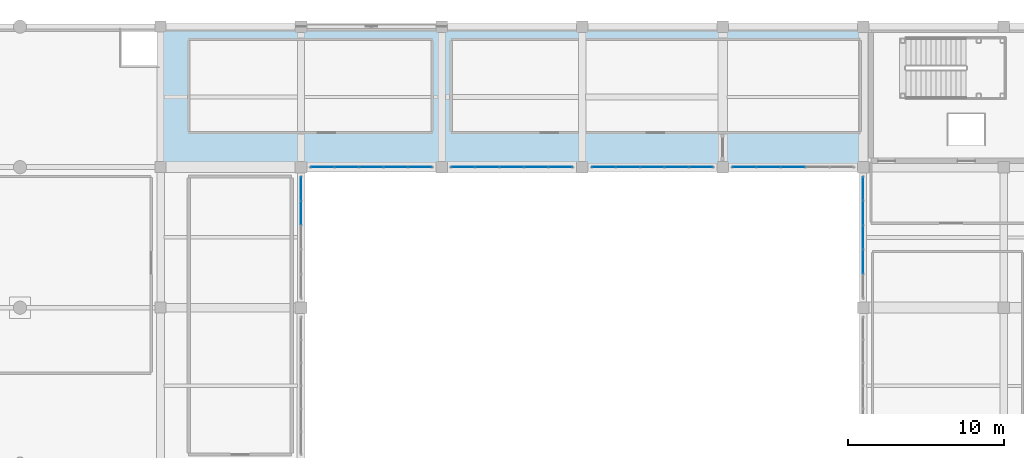
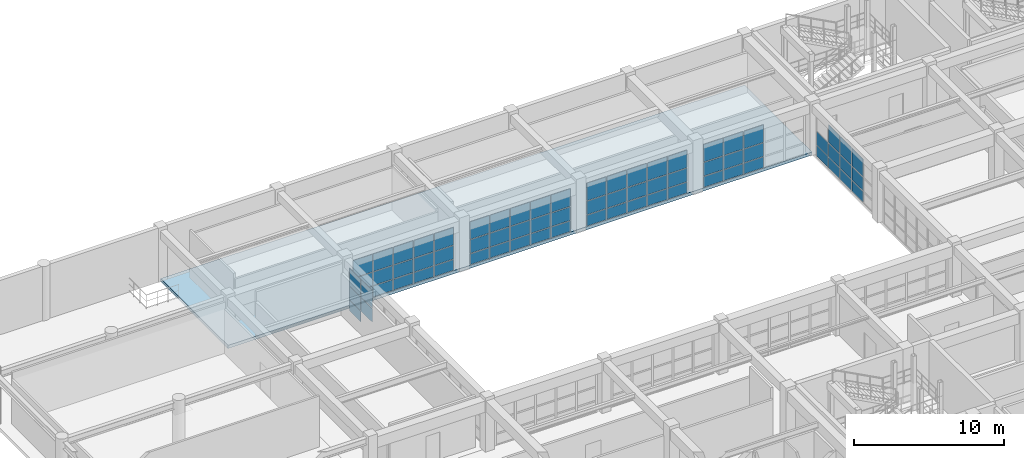
# One storey, part 97 of 133: 70 plates, 1 slab, 6 elements without a shape of their own.
"""IFC4 building model written with IfcOpenShell, lengths in metres."""

from ifc_helpers import new_model, si_unit, direction, frame, origin, origin_2d, place, context, subcontext, project, spatial, polyline, rectangle, outline, extrude, material, layer, layer_set, type_object, element, aggregate, save


model = new_model("IFC4")

# Units and contexts
model_context = context("Model", 3, precision=1e-05, world=origin(), true_north=direction((0.0, 1.0)))
body_context = subcontext(model_context, "Body", "Model", "MODEL_VIEW")
ifc_project = project(units=[si_unit("LENGTHUNIT", "METRE"), si_unit("AREAUNIT", "SQUARE_METRE"), si_unit("VOLUMEUNIT", "CUBIC_METRE"), si_unit("PLANEANGLEUNIT", "RADIAN"), si_unit("MASSUNIT", "GRAM", prefix="KILO")], contexts=[model_context])

# Site, building, storey
site_placement = place(None, origin())
site = spatial("IfcSite", under=ifc_project, at=site_placement, CompositionType="ELEMENT")
building_placement = place(site_placement, origin())
building = spatial("IfcBuilding", under=site, at=building_placement, Name="Miravela Opera House", CompositionType="ELEMENT")
storey_placement = place(building_placement, frame((0.0, 0.0, 5.10009765625)))
storey = spatial("IfcBuildingStorey", under=building, at=storey_placement, Name="L01", CompositionType="ELEMENT", Elevation=5.10009765625)

# Curtain wall, plates
ifc_material_1 = material(Name="Anodised architectural bronze aluminium 6063-T6", Category="aluminium")
curtain_wall_type = type_object("IfcCurtainWallType", Name="ARC-CW-05", PredefinedType="NOTDEFINED", material=ifc_material_1)
curtain_wall_1_placement = place(storey_placement, origin())
curtain_wall_1 = element("IfcCurtainWall", 1, at=curtain_wall_1_placement, inside=storey, type_object=curtain_wall_type, Name="Courtyard Arcade Curtain Wall CW-L01-078", PredefinedType="NOTDEFINED")
ifc_material_2 = material(Name="Acoustic laminated low-E insulating glass", Category="glass")
ifc_layer_1 = layer(ifc_material_2, 0.028076171875)
ifc_layer_set_1 = layer_set([ifc_layer_1])
plate_type = type_object("IfcPlateType", Name="ARC-CWP-28", PredefinedType="CURTAIN_PANEL", material=ifc_layer_set_1)
plate_1_placement = place(storey_placement, frame((28.37890625, 103.0, 0.06005859375), z_axis=(0.0, 0.0, 1.0), x_axis=(1.0, 0.0, 0.0)))
plate_1 = element("IfcPlate", 2, at=plate_1_placement, type_object=plate_type, Name="CW-05 panel 1.1", PredefinedType="CURTAIN_PANEL", context=body_context, shape_type="SweptSolid", body=[
    extrude(rectangle(XDim=1.47802734375, YDim=0.028076171875, at=origin_2d()), origin(), (0.0, 0.0, 1.0), 0.860107421875),
])
plate_2_placement = place(storey_placement, frame((28.37890625, 103.0, 0.97998046875), z_axis=(0.0, 0.0, 1.0), x_axis=(1.0, 0.0, 0.0)))
plate_2 = element("IfcPlate", 3, at=plate_2_placement, type_object=plate_type, Name="CW-05 panel 1.2", PredefinedType="CURTAIN_PANEL", context=body_context, shape_type="SweptSolid", body=[
    extrude(rectangle(XDim=1.47802734375, YDim=0.028076171875, at=origin_2d()), origin(), (0.0, 0.0, 1.0), 1.083740234375),
])
plate_3_placement = place(storey_placement, frame((28.37890625, 103.0, 2.123779296875), z_axis=(0.0, 0.0, 1.0), x_axis=(1.0, 0.0, 0.0)))
plate_3 = element("IfcPlate", 4, at=plate_3_placement, type_object=plate_type, Name="CW-05 panel 1.3", PredefinedType="CURTAIN_PANEL", context=body_context, shape_type="SweptSolid", body=[
    extrude(rectangle(XDim=1.47802734375, YDim=0.028076171875, at=origin_2d()), origin(), (0.0, 0.0, 1.0), 1.42626953125),
])
plate_4_placement = place(storey_placement, frame((29.931884765625, 103.0, 0.06005859375), z_axis=(0.0, 0.0, 1.0), x_axis=(1.0, 0.0, 0.0)))
plate_4 = element("IfcPlate", 5, at=plate_4_placement, type_object=plate_type, Name="CW-05 panel 2.1", PredefinedType="CURTAIN_PANEL", context=body_context, shape_type="SweptSolid", body=[
    extrude(rectangle(XDim=1.508056640625, YDim=0.028076171875, at=origin_2d()), origin(), (0.0, 0.0, 1.0), 0.860107421875),
])
plate_5_placement = place(storey_placement, frame((29.931884765625, 103.0, 0.97998046875), z_axis=(0.0, 0.0, 1.0), x_axis=(1.0, 0.0, 0.0)))
plate_5 = element("IfcPlate", 6, at=plate_5_placement, type_object=plate_type, Name="CW-05 panel 2.2", PredefinedType="CURTAIN_PANEL", context=body_context, shape_type="SweptSolid", body=[
    extrude(rectangle(XDim=1.508056640625, YDim=0.028076171875, at=origin_2d()), origin(), (0.0, 0.0, 1.0), 1.083740234375),
])
plate_6_placement = place(storey_placement, frame((29.931884765625, 103.0, 2.123779296875), z_axis=(0.0, 0.0, 1.0), x_axis=(1.0, 0.0, 0.0)))
plate_6 = element("IfcPlate", 7, at=plate_6_placement, type_object=plate_type, Name="CW-05 panel 2.3", PredefinedType="CURTAIN_PANEL", context=body_context, shape_type="SweptSolid", body=[
    extrude(rectangle(XDim=1.508056640625, YDim=0.028076171875, at=origin_2d()), origin(), (0.0, 0.0, 1.0), 1.42626953125),
])
plate_7_placement = place(storey_placement, frame((31.5, 103.0, 0.06005859375), z_axis=(0.0, 0.0, 1.0), x_axis=(1.0, 0.0, 0.0)))
plate_7 = element("IfcPlate", 8, at=plate_7_placement, type_object=plate_type, Name="CW-05 panel 3.1", PredefinedType="CURTAIN_PANEL", context=body_context, shape_type="SweptSolid", body=[
    extrude(rectangle(XDim=1.508056640625, YDim=0.028076171875, at=origin_2d()), origin(), (0.0, 0.0, 1.0), 0.860107421875),
])
plate_8_placement = place(storey_placement, frame((31.5, 103.0, 0.97998046875), z_axis=(0.0, 0.0, 1.0), x_axis=(1.0, 0.0, 0.0)))
plate_8 = element("IfcPlate", 9, at=plate_8_placement, type_object=plate_type, Name="CW-05 panel 3.2", PredefinedType="CURTAIN_PANEL", context=body_context, shape_type="SweptSolid", body=[
    extrude(rectangle(XDim=1.508056640625, YDim=0.028076171875, at=origin_2d()), origin(), (0.0, 0.0, 1.0), 1.083740234375),
])
plate_9_placement = place(storey_placement, frame((31.5, 103.0, 2.123779296875), z_axis=(0.0, 0.0, 1.0), x_axis=(1.0, 0.0, 0.0)))
plate_9 = element("IfcPlate", 10, at=plate_9_placement, type_object=plate_type, Name="CW-05 panel 3.3", PredefinedType="CURTAIN_PANEL", context=body_context, shape_type="SweptSolid", body=[
    extrude(rectangle(XDim=1.508056640625, YDim=0.028076171875, at=origin_2d()), origin(), (0.0, 0.0, 1.0), 1.42626953125),
])
plate_10_placement = place(storey_placement, frame((33.068115234375, 103.0, 0.06005859375), z_axis=(0.0, 0.0, 1.0), x_axis=(1.0, 0.0, 0.0)))
plate_10 = element("IfcPlate", 11, at=plate_10_placement, type_object=plate_type, Name="CW-05 panel 4.1", PredefinedType="CURTAIN_PANEL", context=body_context, shape_type="SweptSolid", body=[
    extrude(rectangle(XDim=1.508056640625, YDim=0.028076171875, at=origin_2d()), origin(), (0.0, 0.0, 1.0), 0.860107421875),
])
plate_11_placement = place(storey_placement, frame((33.068115234375, 103.0, 0.97998046875), z_axis=(0.0, 0.0, 1.0), x_axis=(1.0, 0.0, 0.0)))
plate_11 = element("IfcPlate", 12, at=plate_11_placement, type_object=plate_type, Name="CW-05 panel 4.2", PredefinedType="CURTAIN_PANEL", context=body_context, shape_type="SweptSolid", body=[
    extrude(rectangle(XDim=1.508056640625, YDim=0.028076171875, at=origin_2d()), origin(), (0.0, 0.0, 1.0), 1.083740234375),
])
plate_12_placement = place(storey_placement, frame((33.068115234375, 103.0, 2.123779296875), z_axis=(0.0, 0.0, 1.0), x_axis=(1.0, 0.0, 0.0)))
plate_12 = element("IfcPlate", 13, at=plate_12_placement, type_object=plate_type, Name="CW-05 panel 4.3", PredefinedType="CURTAIN_PANEL", context=body_context, shape_type="SweptSolid", body=[
    extrude(rectangle(XDim=1.508056640625, YDim=0.028076171875, at=origin_2d()), origin(), (0.0, 0.0, 1.0), 1.42626953125),
])
plate_13_placement = place(storey_placement, frame((34.62109375, 103.0, 0.06005859375), z_axis=(0.0, 0.0, 1.0), x_axis=(1.0, 0.0, 0.0)))
plate_13 = element("IfcPlate", 14, at=plate_13_placement, type_object=plate_type, Name="CW-05 panel 5.1", PredefinedType="CURTAIN_PANEL", context=body_context, shape_type="SweptSolid", body=[
    extrude(rectangle(XDim=1.47802734375, YDim=0.028076171875, at=origin_2d()), origin(), (0.0, 0.0, 1.0), 0.860107421875),
])
plate_14_placement = place(storey_placement, frame((34.62109375, 103.0, 0.97998046875), z_axis=(0.0, 0.0, 1.0), x_axis=(1.0, 0.0, 0.0)))
plate_14 = element("IfcPlate", 15, at=plate_14_placement, type_object=plate_type, Name="CW-05 panel 5.2", PredefinedType="CURTAIN_PANEL", context=body_context, shape_type="SweptSolid", body=[
    extrude(rectangle(XDim=1.47802734375, YDim=0.028076171875, at=origin_2d()), origin(), (0.0, 0.0, 1.0), 1.083740234375),
])
plate_15_placement = place(storey_placement, frame((34.62109375, 103.0, 2.123779296875), z_axis=(0.0, 0.0, 1.0), x_axis=(1.0, 0.0, 0.0)))
plate_15 = element("IfcPlate", 16, at=plate_15_placement, type_object=plate_type, Name="CW-05 panel 5.3", PredefinedType="CURTAIN_PANEL", context=body_context, shape_type="SweptSolid", body=[
    extrude(rectangle(XDim=1.47802734375, YDim=0.028076171875, at=origin_2d()), origin(), (0.0, 0.0, 1.0), 1.42626953125),
])
aggregate(curtain_wall_1, [plate_1, plate_2, plate_3, plate_4, plate_5, plate_6, plate_7, plate_8, plate_9, plate_10, plate_11, plate_12, plate_13, plate_14, plate_15])

curtain_wall_2_placement = place(storey_placement, origin())
curtain_wall_2 = element("IfcCurtainWall", 17, at=curtain_wall_2_placement, inside=storey, type_object=curtain_wall_type, Name="Courtyard Arcade Curtain Wall CW-L01-080", PredefinedType="NOTDEFINED")
plate_16_placement = place(storey_placement, frame((37.37890625, 103.0, 0.06005859375), z_axis=(0.0, 0.0, 1.0), x_axis=(1.0, 0.0, 0.0)))
plate_16 = element("IfcPlate", 18, at=plate_16_placement, type_object=plate_type, Name="CW-05 panel 1.1", PredefinedType="CURTAIN_PANEL", context=body_context, shape_type="SweptSolid", body=[
    extrude(rectangle(XDim=1.47802734375, YDim=0.028076171875, at=origin_2d()), origin(), (0.0, 0.0, 1.0), 0.860107421875),
])
plate_17_placement = place(storey_placement, frame((37.37890625, 103.0, 0.97998046875), z_axis=(0.0, 0.0, 1.0), x_axis=(1.0, 0.0, 0.0)))
plate_17 = element("IfcPlate", 19, at=plate_17_placement, type_object=plate_type, Name="CW-05 panel 1.2", PredefinedType="CURTAIN_PANEL", context=body_context, shape_type="SweptSolid", body=[
    extrude(rectangle(XDim=1.47802734375, YDim=0.028076171875, at=origin_2d()), origin(), (0.0, 0.0, 1.0), 1.083740234375),
])
plate_18_placement = place(storey_placement, frame((37.37890625, 103.0, 2.123779296875), z_axis=(0.0, 0.0, 1.0), x_axis=(1.0, 0.0, 0.0)))
plate_18 = element("IfcPlate", 20, at=plate_18_placement, type_object=plate_type, Name="CW-05 panel 1.3", PredefinedType="CURTAIN_PANEL", context=body_context, shape_type="SweptSolid", body=[
    extrude(rectangle(XDim=1.47802734375, YDim=0.028076171875, at=origin_2d()), origin(), (0.0, 0.0, 1.0), 1.42626953125),
])
plate_19_placement = place(storey_placement, frame((38.931884765625, 103.0, 0.06005859375), z_axis=(0.0, 0.0, 1.0), x_axis=(1.0, 0.0, 0.0)))
plate_19 = element("IfcPlate", 21, at=plate_19_placement, type_object=plate_type, Name="CW-05 panel 2.1", PredefinedType="CURTAIN_PANEL", context=body_context, shape_type="SweptSolid", body=[
    extrude(rectangle(XDim=1.508056640625, YDim=0.028076171875, at=origin_2d()), origin(), (0.0, 0.0, 1.0), 0.860107421875),
])
plate_20_placement = place(storey_placement, frame((38.931884765625, 103.0, 0.97998046875), z_axis=(0.0, 0.0, 1.0), x_axis=(1.0, 0.0, 0.0)))
plate_20 = element("IfcPlate", 22, at=plate_20_placement, type_object=plate_type, Name="CW-05 panel 2.2", PredefinedType="CURTAIN_PANEL", context=body_context, shape_type="SweptSolid", body=[
    extrude(rectangle(XDim=1.508056640625, YDim=0.028076171875, at=origin_2d()), origin(), (0.0, 0.0, 1.0), 1.083740234375),
])
plate_21_placement = place(storey_placement, frame((38.931884765625, 103.0, 2.123779296875), z_axis=(0.0, 0.0, 1.0), x_axis=(1.0, 0.0, 0.0)))
plate_21 = element("IfcPlate", 23, at=plate_21_placement, type_object=plate_type, Name="CW-05 panel 2.3", PredefinedType="CURTAIN_PANEL", context=body_context, shape_type="SweptSolid", body=[
    extrude(rectangle(XDim=1.508056640625, YDim=0.028076171875, at=origin_2d()), origin(), (0.0, 0.0, 1.0), 1.42626953125),
])
plate_22_placement = place(storey_placement, frame((40.5, 103.0, 0.06005859375), z_axis=(0.0, 0.0, 1.0), x_axis=(1.0, 0.0, 0.0)))
plate_22 = element("IfcPlate", 24, at=plate_22_placement, type_object=plate_type, Name="CW-05 panel 3.1", PredefinedType="CURTAIN_PANEL", context=body_context, shape_type="SweptSolid", body=[
    extrude(rectangle(XDim=1.508056640625, YDim=0.028076171875, at=origin_2d()), origin(), (0.0, 0.0, 1.0), 0.860107421875),
])
plate_23_placement = place(storey_placement, frame((40.5, 103.0, 0.97998046875), z_axis=(0.0, 0.0, 1.0), x_axis=(1.0, 0.0, 0.0)))
plate_23 = element("IfcPlate", 25, at=plate_23_placement, type_object=plate_type, Name="CW-05 panel 3.2", PredefinedType="CURTAIN_PANEL", context=body_context, shape_type="SweptSolid", body=[
    extrude(rectangle(XDim=1.508056640625, YDim=0.028076171875, at=origin_2d()), origin(), (0.0, 0.0, 1.0), 1.083740234375),
])
plate_24_placement = place(storey_placement, frame((40.5, 103.0, 2.123779296875), z_axis=(0.0, 0.0, 1.0), x_axis=(1.0, 0.0, 0.0)))
plate_24 = element("IfcPlate", 26, at=plate_24_placement, type_object=plate_type, Name="CW-05 panel 3.3", PredefinedType="CURTAIN_PANEL", context=body_context, shape_type="SweptSolid", body=[
    extrude(rectangle(XDim=1.508056640625, YDim=0.028076171875, at=origin_2d()), origin(), (0.0, 0.0, 1.0), 1.42626953125),
])
plate_25_placement = place(storey_placement, frame((42.068115234375, 103.0, 0.06005859375), z_axis=(0.0, 0.0, 1.0), x_axis=(1.0, 0.0, 0.0)))
plate_25 = element("IfcPlate", 27, at=plate_25_placement, type_object=plate_type, Name="CW-05 panel 4.1", PredefinedType="CURTAIN_PANEL", context=body_context, shape_type="SweptSolid", body=[
    extrude(rectangle(XDim=1.508056640625, YDim=0.028076171875, at=origin_2d()), origin(), (0.0, 0.0, 1.0), 0.860107421875),
])
plate_26_placement = place(storey_placement, frame((42.068115234375, 103.0, 0.97998046875), z_axis=(0.0, 0.0, 1.0), x_axis=(1.0, 0.0, 0.0)))
plate_26 = element("IfcPlate", 28, at=plate_26_placement, type_object=plate_type, Name="CW-05 panel 4.2", PredefinedType="CURTAIN_PANEL", context=body_context, shape_type="SweptSolid", body=[
    extrude(rectangle(XDim=1.508056640625, YDim=0.028076171875, at=origin_2d()), origin(), (0.0, 0.0, 1.0), 1.083740234375),
])
plate_27_placement = place(storey_placement, frame((42.068115234375, 103.0, 2.123779296875), z_axis=(0.0, 0.0, 1.0), x_axis=(1.0, 0.0, 0.0)))
plate_27 = element("IfcPlate", 29, at=plate_27_placement, type_object=plate_type, Name="CW-05 panel 4.3", PredefinedType="CURTAIN_PANEL", context=body_context, shape_type="SweptSolid", body=[
    extrude(rectangle(XDim=1.508056640625, YDim=0.028076171875, at=origin_2d()), origin(), (0.0, 0.0, 1.0), 1.42626953125),
])
plate_28_placement = place(storey_placement, frame((43.62109375, 103.0, 0.06005859375), z_axis=(0.0, 0.0, 1.0), x_axis=(1.0, 0.0, 0.0)))
plate_28 = element("IfcPlate", 30, at=plate_28_placement, type_object=plate_type, Name="CW-05 panel 5.1", PredefinedType="CURTAIN_PANEL", context=body_context, shape_type="SweptSolid", body=[
    extrude(rectangle(XDim=1.47802734375, YDim=0.028076171875, at=origin_2d()), origin(), (0.0, 0.0, 1.0), 0.860107421875),
])
plate_29_placement = place(storey_placement, frame((43.62109375, 103.0, 0.97998046875), z_axis=(0.0, 0.0, 1.0), x_axis=(1.0, 0.0, 0.0)))
plate_29 = element("IfcPlate", 31, at=plate_29_placement, type_object=plate_type, Name="CW-05 panel 5.2", PredefinedType="CURTAIN_PANEL", context=body_context, shape_type="SweptSolid", body=[
    extrude(rectangle(XDim=1.47802734375, YDim=0.028076171875, at=origin_2d()), origin(), (0.0, 0.0, 1.0), 1.083740234375),
])
plate_30_placement = place(storey_placement, frame((43.62109375, 103.0, 2.123779296875), z_axis=(0.0, 0.0, 1.0), x_axis=(1.0, 0.0, 0.0)))
plate_30 = element("IfcPlate", 32, at=plate_30_placement, type_object=plate_type, Name="CW-05 panel 5.3", PredefinedType="CURTAIN_PANEL", context=body_context, shape_type="SweptSolid", body=[
    extrude(rectangle(XDim=1.47802734375, YDim=0.028076171875, at=origin_2d()), origin(), (0.0, 0.0, 1.0), 1.42626953125),
])
aggregate(curtain_wall_2, [plate_16, plate_17, plate_18, plate_19, plate_20, plate_21, plate_22, plate_23, plate_24, plate_25, plate_26, plate_27, plate_28, plate_29, plate_30])

curtain_wall_3_placement = place(storey_placement, origin())
curtain_wall_3 = element("IfcCurtainWall", 33, at=curtain_wall_3_placement, inside=storey, type_object=curtain_wall_type, Name="Courtyard Arcade Curtain Wall CW-L01-082", PredefinedType="NOTDEFINED")
plate_31_placement = place(storey_placement, frame((46.37890625, 103.0, 0.06005859375), z_axis=(0.0, 0.0, 1.0), x_axis=(1.0, 0.0, 0.0)))
plate_31 = element("IfcPlate", 34, at=plate_31_placement, type_object=plate_type, Name="CW-05 panel 1.1", PredefinedType="CURTAIN_PANEL", context=body_context, shape_type="SweptSolid", body=[
    extrude(rectangle(XDim=1.47802734375, YDim=0.028076171875, at=origin_2d()), origin(), (0.0, 0.0, 1.0), 0.860107421875),
])
plate_32_placement = place(storey_placement, frame((46.37890625, 103.0, 0.97998046875), z_axis=(0.0, 0.0, 1.0), x_axis=(1.0, 0.0, 0.0)))
plate_32 = element("IfcPlate", 35, at=plate_32_placement, type_object=plate_type, Name="CW-05 panel 1.2", PredefinedType="CURTAIN_PANEL", context=body_context, shape_type="SweptSolid", body=[
    extrude(rectangle(XDim=1.47802734375, YDim=0.028076171875, at=origin_2d()), origin(), (0.0, 0.0, 1.0), 1.083740234375),
])
plate_33_placement = place(storey_placement, frame((46.37890625, 103.0, 2.123779296875), z_axis=(0.0, 0.0, 1.0), x_axis=(1.0, 0.0, 0.0)))
plate_33 = element("IfcPlate", 36, at=plate_33_placement, type_object=plate_type, Name="CW-05 panel 1.3", PredefinedType="CURTAIN_PANEL", context=body_context, shape_type="SweptSolid", body=[
    extrude(rectangle(XDim=1.47802734375, YDim=0.028076171875, at=origin_2d()), origin(), (0.0, 0.0, 1.0), 1.42626953125),
])
plate_34_placement = place(storey_placement, frame((47.931884765625, 103.0, 0.06005859375), z_axis=(0.0, 0.0, 1.0), x_axis=(1.0, 0.0, 0.0)))
plate_34 = element("IfcPlate", 37, at=plate_34_placement, type_object=plate_type, Name="CW-05 panel 2.1", PredefinedType="CURTAIN_PANEL", context=body_context, shape_type="SweptSolid", body=[
    extrude(rectangle(XDim=1.508056640625, YDim=0.028076171875, at=origin_2d()), origin(), (0.0, 0.0, 1.0), 0.860107421875),
])
plate_35_placement = place(storey_placement, frame((47.931884765625, 103.0, 0.97998046875), z_axis=(0.0, 0.0, 1.0), x_axis=(1.0, 0.0, 0.0)))
plate_35 = element("IfcPlate", 38, at=plate_35_placement, type_object=plate_type, Name="CW-05 panel 2.2", PredefinedType="CURTAIN_PANEL", context=body_context, shape_type="SweptSolid", body=[
    extrude(rectangle(XDim=1.508056640625, YDim=0.028076171875, at=origin_2d()), origin(), (0.0, 0.0, 1.0), 1.083740234375),
])
plate_36_placement = place(storey_placement, frame((47.931884765625, 103.0, 2.123779296875), z_axis=(0.0, 0.0, 1.0), x_axis=(1.0, 0.0, 0.0)))
plate_36 = element("IfcPlate", 39, at=plate_36_placement, type_object=plate_type, Name="CW-05 panel 2.3", PredefinedType="CURTAIN_PANEL", context=body_context, shape_type="SweptSolid", body=[
    extrude(rectangle(XDim=1.508056640625, YDim=0.028076171875, at=origin_2d()), origin(), (0.0, 0.0, 1.0), 1.42626953125),
])
plate_37_placement = place(storey_placement, frame((49.5, 103.0, 0.06005859375), z_axis=(0.0, 0.0, 1.0), x_axis=(1.0, 0.0, 0.0)))
plate_37 = element("IfcPlate", 40, at=plate_37_placement, type_object=plate_type, Name="CW-05 panel 3.1", PredefinedType="CURTAIN_PANEL", context=body_context, shape_type="SweptSolid", body=[
    extrude(rectangle(XDim=1.508056640625, YDim=0.028076171875, at=origin_2d()), origin(), (0.0, 0.0, 1.0), 0.860107421875),
])
plate_38_placement = place(storey_placement, frame((49.5, 103.0, 0.97998046875), z_axis=(0.0, 0.0, 1.0), x_axis=(1.0, 0.0, 0.0)))
plate_38 = element("IfcPlate", 41, at=plate_38_placement, type_object=plate_type, Name="CW-05 panel 3.2", PredefinedType="CURTAIN_PANEL", context=body_context, shape_type="SweptSolid", body=[
    extrude(rectangle(XDim=1.508056640625, YDim=0.028076171875, at=origin_2d()), origin(), (0.0, 0.0, 1.0), 1.083740234375),
])
plate_39_placement = place(storey_placement, frame((49.5, 103.0, 2.123779296875), z_axis=(0.0, 0.0, 1.0), x_axis=(1.0, 0.0, 0.0)))
plate_39 = element("IfcPlate", 42, at=plate_39_placement, type_object=plate_type, Name="CW-05 panel 3.3", PredefinedType="CURTAIN_PANEL", context=body_context, shape_type="SweptSolid", body=[
    extrude(rectangle(XDim=1.508056640625, YDim=0.028076171875, at=origin_2d()), origin(), (0.0, 0.0, 1.0), 1.42626953125),
])
plate_40_placement = place(storey_placement, frame((51.068115234375, 103.0, 0.06005859375), z_axis=(0.0, 0.0, 1.0), x_axis=(1.0, 0.0, 0.0)))
plate_40 = element("IfcPlate", 43, at=plate_40_placement, type_object=plate_type, Name="CW-05 panel 4.1", PredefinedType="CURTAIN_PANEL", context=body_context, shape_type="SweptSolid", body=[
    extrude(rectangle(XDim=1.508056640625, YDim=0.028076171875, at=origin_2d()), origin(), (0.0, 0.0, 1.0), 0.860107421875),
])
plate_41_placement = place(storey_placement, frame((51.068115234375, 103.0, 0.97998046875), z_axis=(0.0, 0.0, 1.0), x_axis=(1.0, 0.0, 0.0)))
plate_41 = element("IfcPlate", 44, at=plate_41_placement, type_object=plate_type, Name="CW-05 panel 4.2", PredefinedType="CURTAIN_PANEL", context=body_context, shape_type="SweptSolid", body=[
    extrude(rectangle(XDim=1.508056640625, YDim=0.028076171875, at=origin_2d()), origin(), (0.0, 0.0, 1.0), 1.083740234375),
])
plate_42_placement = place(storey_placement, frame((51.068115234375, 103.0, 2.123779296875), z_axis=(0.0, 0.0, 1.0), x_axis=(1.0, 0.0, 0.0)))
plate_42 = element("IfcPlate", 45, at=plate_42_placement, type_object=plate_type, Name="CW-05 panel 4.3", PredefinedType="CURTAIN_PANEL", context=body_context, shape_type="SweptSolid", body=[
    extrude(rectangle(XDim=1.508056640625, YDim=0.028076171875, at=origin_2d()), origin(), (0.0, 0.0, 1.0), 1.42626953125),
])
plate_43_placement = place(storey_placement, frame((52.62109375, 103.0, 0.06005859375), z_axis=(0.0, 0.0, 1.0), x_axis=(1.0, 0.0, 0.0)))
plate_43 = element("IfcPlate", 46, at=plate_43_placement, type_object=plate_type, Name="CW-05 panel 5.1", PredefinedType="CURTAIN_PANEL", context=body_context, shape_type="SweptSolid", body=[
    extrude(rectangle(XDim=1.47802734375, YDim=0.028076171875, at=origin_2d()), origin(), (0.0, 0.0, 1.0), 0.860107421875),
])
plate_44_placement = place(storey_placement, frame((52.62109375, 103.0, 0.97998046875), z_axis=(0.0, 0.0, 1.0), x_axis=(1.0, 0.0, 0.0)))
plate_44 = element("IfcPlate", 47, at=plate_44_placement, type_object=plate_type, Name="CW-05 panel 5.2", PredefinedType="CURTAIN_PANEL", context=body_context, shape_type="SweptSolid", body=[
    extrude(rectangle(XDim=1.47802734375, YDim=0.028076171875, at=origin_2d()), origin(), (0.0, 0.0, 1.0), 1.083740234375),
])
plate_45_placement = place(storey_placement, frame((52.62109375, 103.0, 2.123779296875), z_axis=(0.0, 0.0, 1.0), x_axis=(1.0, 0.0, 0.0)))
plate_45 = element("IfcPlate", 48, at=plate_45_placement, type_object=plate_type, Name="CW-05 panel 5.3", PredefinedType="CURTAIN_PANEL", context=body_context, shape_type="SweptSolid", body=[
    extrude(rectangle(XDim=1.47802734375, YDim=0.028076171875, at=origin_2d()), origin(), (0.0, 0.0, 1.0), 1.42626953125),
])
aggregate(curtain_wall_3, [plate_31, plate_32, plate_33, plate_34, plate_35, plate_36, plate_37, plate_38, plate_39, plate_40, plate_41, plate_42, plate_43, plate_44, plate_45])

curtain_wall_4_placement = place(storey_placement, origin())
curtain_wall_4 = element("IfcCurtainWall", 49, at=curtain_wall_4_placement, inside=storey, type_object=curtain_wall_type, Name="Courtyard Arcade Curtain Wall CW-L01-084", PredefinedType="NOTDEFINED")
plate_46_placement = place(storey_placement, frame((55.37890625, 103.0, 0.06005859375), z_axis=(0.0, 0.0, 1.0), x_axis=(1.0, 0.0, 0.0)))
plate_46 = element("IfcPlate", 50, at=plate_46_placement, type_object=plate_type, Name="CW-05 panel 1.1", PredefinedType="CURTAIN_PANEL", context=body_context, shape_type="SweptSolid", body=[
    extrude(rectangle(XDim=1.47802734375, YDim=0.028076171875, at=origin_2d()), origin(), (0.0, 0.0, 1.0), 0.860107421875),
])
plate_47_placement = place(storey_placement, frame((55.37890625, 103.0, 0.97998046875), z_axis=(0.0, 0.0, 1.0), x_axis=(1.0, 0.0, 0.0)))
plate_47 = element("IfcPlate", 51, at=plate_47_placement, type_object=plate_type, Name="CW-05 panel 1.2", PredefinedType="CURTAIN_PANEL", context=body_context, shape_type="SweptSolid", body=[
    extrude(rectangle(XDim=1.47802734375, YDim=0.028076171875, at=origin_2d()), origin(), (0.0, 0.0, 1.0), 1.083740234375),
])
plate_48_placement = place(storey_placement, frame((55.37890625, 103.0, 2.123779296875), z_axis=(0.0, 0.0, 1.0), x_axis=(1.0, 0.0, 0.0)))
plate_48 = element("IfcPlate", 52, at=plate_48_placement, type_object=plate_type, Name="CW-05 panel 1.3", PredefinedType="CURTAIN_PANEL", context=body_context, shape_type="SweptSolid", body=[
    extrude(rectangle(XDim=1.47802734375, YDim=0.028076171875, at=origin_2d()), origin(), (0.0, 0.0, 1.0), 1.42626953125),
])
plate_49_placement = place(storey_placement, frame((56.931884765625, 103.0, 0.06005859375), z_axis=(0.0, 0.0, 1.0), x_axis=(1.0, 0.0, 0.0)))
plate_49 = element("IfcPlate", 53, at=plate_49_placement, type_object=plate_type, Name="CW-05 panel 2.1", PredefinedType="CURTAIN_PANEL", context=body_context, shape_type="SweptSolid", body=[
    extrude(rectangle(XDim=1.508056640625, YDim=0.028076171875, at=origin_2d()), origin(), (0.0, 0.0, 1.0), 0.860107421875),
])
plate_50_placement = place(storey_placement, frame((56.931884765625, 103.0, 0.97998046875), z_axis=(0.0, 0.0, 1.0), x_axis=(1.0, 0.0, 0.0)))
plate_50 = element("IfcPlate", 54, at=plate_50_placement, type_object=plate_type, Name="CW-05 panel 2.2", PredefinedType="CURTAIN_PANEL", context=body_context, shape_type="SweptSolid", body=[
    extrude(rectangle(XDim=1.508056640625, YDim=0.028076171875, at=origin_2d()), origin(), (0.0, 0.0, 1.0), 1.083740234375),
])
plate_51_placement = place(storey_placement, frame((56.931884765625, 103.0, 2.123779296875), z_axis=(0.0, 0.0, 1.0), x_axis=(1.0, 0.0, 0.0)))
plate_51 = element("IfcPlate", 55, at=plate_51_placement, type_object=plate_type, Name="CW-05 panel 2.3", PredefinedType="CURTAIN_PANEL", context=body_context, shape_type="SweptSolid", body=[
    extrude(rectangle(XDim=1.508056640625, YDim=0.028076171875, at=origin_2d()), origin(), (0.0, 0.0, 1.0), 1.42626953125),
])
plate_52_placement = place(storey_placement, frame((58.5, 103.0, 0.06005859375), z_axis=(0.0, 0.0, 1.0), x_axis=(1.0, 0.0, 0.0)))
plate_52 = element("IfcPlate", 56, at=plate_52_placement, type_object=plate_type, Name="CW-05 panel 3.1", PredefinedType="CURTAIN_PANEL", context=body_context, shape_type="SweptSolid", body=[
    extrude(rectangle(XDim=1.508056640625, YDim=0.028076171875, at=origin_2d()), origin(), (0.0, 0.0, 1.0), 0.860107421875),
])
plate_53_placement = place(storey_placement, frame((58.5, 103.0, 0.97998046875), z_axis=(0.0, 0.0, 1.0), x_axis=(1.0, 0.0, 0.0)))
plate_53 = element("IfcPlate", 57, at=plate_53_placement, type_object=plate_type, Name="CW-05 panel 3.2", PredefinedType="CURTAIN_PANEL", context=body_context, shape_type="SweptSolid", body=[
    extrude(rectangle(XDim=1.508056640625, YDim=0.028076171875, at=origin_2d()), origin(), (0.0, 0.0, 1.0), 1.083740234375),
])
plate_54_placement = place(storey_placement, frame((58.5, 103.0, 2.123779296875), z_axis=(0.0, 0.0, 1.0), x_axis=(1.0, 0.0, 0.0)))
plate_54 = element("IfcPlate", 58, at=plate_54_placement, type_object=plate_type, Name="CW-05 panel 3.3", PredefinedType="CURTAIN_PANEL", context=body_context, shape_type="SweptSolid", body=[
    extrude(rectangle(XDim=1.508056640625, YDim=0.028076171875, at=origin_2d()), origin(), (0.0, 0.0, 1.0), 1.42626953125),
])
aggregate(curtain_wall_4, [plate_46, plate_47, plate_48, plate_49, plate_50, plate_51, plate_52, plate_53, plate_54])

curtain_wall_5_placement = place(storey_placement, origin())
curtain_wall_5 = element("IfcCurtainWall", 59, at=curtain_wall_5_placement, inside=storey, type_object=curtain_wall_type, Name="Courtyard Arcade Curtain Wall CW-L01-086", PredefinedType="NOTDEFINED")
plate_55_placement = place(storey_placement, frame((27.0, 100.068115234375, 0.97998046875), z_axis=(0.0, 0.0, 1.0), x_axis=(0.0, 1.0, 0.0)))
plate_55 = element("IfcPlate", 60, at=plate_55_placement, type_object=plate_type, Name="CW-05 panel 4.2", PredefinedType="CURTAIN_PANEL", context=body_context, shape_type="SweptSolid", body=[
    extrude(rectangle(XDim=1.508056640625, YDim=0.028076171875, at=origin_2d()), origin(), (0.0, 0.0, 1.0), 1.083740234375),
])
plate_56_placement = place(storey_placement, frame((27.0, 100.068115234375, 2.123779296875), z_axis=(0.0, 0.0, 1.0), x_axis=(0.0, 1.0, 0.0)))
plate_56 = element("IfcPlate", 61, at=plate_56_placement, type_object=plate_type, Name="CW-05 panel 4.3", PredefinedType="CURTAIN_PANEL", context=body_context, shape_type="SweptSolid", body=[
    extrude(rectangle(XDim=1.508056640625, YDim=0.028076171875, at=origin_2d()), origin(), (0.0, 0.0, 1.0), 1.42626953125),
])
plate_57_placement = place(storey_placement, frame((27.0, 101.62109375, 0.06005859375), z_axis=(0.0, 0.0, 1.0), x_axis=(0.0, 1.0, 0.0)))
plate_57 = element("IfcPlate", 62, at=plate_57_placement, type_object=plate_type, Name="CW-05 panel 5.1", PredefinedType="CURTAIN_PANEL", context=body_context, shape_type="SweptSolid", body=[
    extrude(rectangle(XDim=1.47802734375, YDim=0.028076171875, at=origin_2d()), origin(), (0.0, 0.0, 1.0), 0.860107421875),
])
plate_58_placement = place(storey_placement, frame((27.0, 101.62109375, 0.97998046875), z_axis=(0.0, 0.0, 1.0), x_axis=(0.0, 1.0, 0.0)))
plate_58 = element("IfcPlate", 63, at=plate_58_placement, type_object=plate_type, Name="CW-05 panel 5.2", PredefinedType="CURTAIN_PANEL", context=body_context, shape_type="SweptSolid", body=[
    extrude(rectangle(XDim=1.47802734375, YDim=0.028076171875, at=origin_2d()), origin(), (0.0, 0.0, 1.0), 1.083740234375),
])
plate_59_placement = place(storey_placement, frame((27.0, 101.62109375, 2.123779296875), z_axis=(0.0, 0.0, 1.0), x_axis=(0.0, 1.0, 0.0)))
plate_59 = element("IfcPlate", 64, at=plate_59_placement, type_object=plate_type, Name="CW-05 panel 5.3", PredefinedType="CURTAIN_PANEL", context=body_context, shape_type="SweptSolid", body=[
    extrude(rectangle(XDim=1.47802734375, YDim=0.028076171875, at=origin_2d()), origin(), (0.0, 0.0, 1.0), 1.42626953125),
])
aggregate(curtain_wall_5, [plate_55, plate_56, plate_57, plate_58, plate_59])

curtain_wall_6_placement = place(storey_placement, origin())
curtain_wall_6 = element("IfcCurtainWall", 65, at=curtain_wall_6_placement, inside=storey, type_object=curtain_wall_type, Name="Courtyard Arcade Curtain Wall CW-L01-088", PredefinedType="NOTDEFINED")
plate_60_placement = place(storey_placement, frame((63.0, 96.931884765625, 0.06005859375), z_axis=(0.0, 0.0, 1.0), x_axis=(0.0, 1.0, 0.0)))
plate_60 = element("IfcPlate", 66, at=plate_60_placement, type_object=plate_type, Name="CW-05 panel 2.1", PredefinedType="CURTAIN_PANEL", context=body_context, shape_type="SweptSolid", body=[
    extrude(rectangle(XDim=1.508056640625, YDim=0.028076171875, at=origin_2d()), origin(), (0.0, 0.0, 1.0), 0.860107421875),
])
plate_61_placement = place(storey_placement, frame((63.0, 96.931884765625, 0.97998046875), z_axis=(0.0, 0.0, 1.0), x_axis=(0.0, 1.0, 0.0)))
plate_61 = element("IfcPlate", 67, at=plate_61_placement, type_object=plate_type, Name="CW-05 panel 2.2", PredefinedType="CURTAIN_PANEL", context=body_context, shape_type="SweptSolid", body=[
    extrude(rectangle(XDim=1.508056640625, YDim=0.028076171875, at=origin_2d()), origin(), (0.0, 0.0, 1.0), 1.083740234375),
])
plate_62_placement = place(storey_placement, frame((63.0, 96.931884765625, 2.123779296875), z_axis=(0.0, 0.0, 1.0), x_axis=(0.0, 1.0, 0.0)))
plate_62 = element("IfcPlate", 68, at=plate_62_placement, type_object=plate_type, Name="CW-05 panel 2.3", PredefinedType="CURTAIN_PANEL", context=body_context, shape_type="SweptSolid", body=[
    extrude(rectangle(XDim=1.508056640625, YDim=0.028076171875, at=origin_2d()), origin(), (0.0, 0.0, 1.0), 1.42626953125),
])
plate_63_placement = place(storey_placement, frame((63.0, 98.5, 0.06005859375), z_axis=(0.0, 0.0, 1.0), x_axis=(0.0, 1.0, 0.0)))
plate_63 = element("IfcPlate", 69, at=plate_63_placement, type_object=plate_type, Name="CW-05 panel 3.1", PredefinedType="CURTAIN_PANEL", context=body_context, shape_type="SweptSolid", body=[
    extrude(rectangle(XDim=1.508056640625, YDim=0.028076171875, at=origin_2d()), origin(), (0.0, 0.0, 1.0), 0.860107421875),
])
plate_64_placement = place(storey_placement, frame((63.0, 98.5, 0.97998046875), z_axis=(0.0, 0.0, 1.0), x_axis=(0.0, 1.0, 0.0)))
plate_64 = element("IfcPlate", 70, at=plate_64_placement, type_object=plate_type, Name="CW-05 panel 3.2", PredefinedType="CURTAIN_PANEL", context=body_context, shape_type="SweptSolid", body=[
    extrude(rectangle(XDim=1.508056640625, YDim=0.028076171875, at=origin_2d()), origin(), (0.0, 0.0, 1.0), 1.083740234375),
])
plate_65_placement = place(storey_placement, frame((63.0, 98.5, 2.123779296875), z_axis=(0.0, 0.0, 1.0), x_axis=(0.0, 1.0, 0.0)))
plate_65 = element("IfcPlate", 71, at=plate_65_placement, type_object=plate_type, Name="CW-05 panel 3.3", PredefinedType="CURTAIN_PANEL", context=body_context, shape_type="SweptSolid", body=[
    extrude(rectangle(XDim=1.508056640625, YDim=0.028076171875, at=origin_2d()), origin(), (0.0, 0.0, 1.0), 1.42626953125),
])
plate_66_placement = place(storey_placement, frame((63.0, 100.068115234375, 0.06005859375), z_axis=(0.0, 0.0, 1.0), x_axis=(0.0, 1.0, 0.0)))
plate_66 = element("IfcPlate", 72, at=plate_66_placement, type_object=plate_type, Name="CW-05 panel 4.1", PredefinedType="CURTAIN_PANEL", context=body_context, shape_type="SweptSolid", body=[
    extrude(rectangle(XDim=1.508056640625, YDim=0.028076171875, at=origin_2d()), origin(), (0.0, 0.0, 1.0), 0.860107421875),
])
plate_67_placement = place(storey_placement, frame((63.0, 100.068115234375, 0.97998046875), z_axis=(0.0, 0.0, 1.0), x_axis=(0.0, 1.0, 0.0)))
plate_67 = element("IfcPlate", 73, at=plate_67_placement, type_object=plate_type, Name="CW-05 panel 4.2", PredefinedType="CURTAIN_PANEL", context=body_context, shape_type="SweptSolid", body=[
    extrude(rectangle(XDim=1.508056640625, YDim=0.028076171875, at=origin_2d()), origin(), (0.0, 0.0, 1.0), 1.083740234375),
])
plate_68_placement = place(storey_placement, frame((63.0, 100.068115234375, 2.123779296875), z_axis=(0.0, 0.0, 1.0), x_axis=(0.0, 1.0, 0.0)))
plate_68 = element("IfcPlate", 74, at=plate_68_placement, type_object=plate_type, Name="CW-05 panel 4.3", PredefinedType="CURTAIN_PANEL", context=body_context, shape_type="SweptSolid", body=[
    extrude(rectangle(XDim=1.508056640625, YDim=0.028076171875, at=origin_2d()), origin(), (0.0, 0.0, 1.0), 1.42626953125),
])
plate_69_placement = place(storey_placement, frame((63.0, 101.62109375, 0.06005859375), z_axis=(0.0, 0.0, 1.0), x_axis=(0.0, 1.0, 0.0)))
plate_69 = element("IfcPlate", 75, at=plate_69_placement, type_object=plate_type, Name="CW-05 panel 5.1", PredefinedType="CURTAIN_PANEL", context=body_context, shape_type="SweptSolid", body=[
    extrude(rectangle(XDim=1.47802734375, YDim=0.028076171875, at=origin_2d()), origin(), (0.0, 0.0, 1.0), 0.860107421875),
])
plate_70_placement = place(storey_placement, frame((63.0, 101.62109375, 0.97998046875), z_axis=(0.0, 0.0, 1.0), x_axis=(0.0, 1.0, 0.0)))
plate_70 = element("IfcPlate", 76, at=plate_70_placement, type_object=plate_type, Name="CW-05 panel 5.2", PredefinedType="CURTAIN_PANEL", context=body_context, shape_type="SweptSolid", body=[
    extrude(rectangle(XDim=1.47802734375, YDim=0.028076171875, at=origin_2d()), origin(), (0.0, 0.0, 1.0), 1.083740234375),
])
aggregate(curtain_wall_6, [plate_60, plate_61, plate_62, plate_63, plate_64, plate_65, plate_66, plate_67, plate_68, plate_69, plate_70])

# Slab
ifc_material_3 = material(Name="Concrete C35/45", Category="concrete")
ifc_layer_2 = layer(ifc_material_3, 0.25)
ifc_layer_set_2 = layer_set([ifc_layer_2])
slab_type = type_object("IfcSlabType", Name="STR-SLAB-FLR-250", PredefinedType="FLOOR", material=ifc_layer_set_2)
slab_placement = place(storey_placement, frame((0.0, 0.0, -0.25)))
element("IfcSlab", 77, at=slab_placement, inside=storey, type_object=slab_type, Name="Level L01 Floor Slab SLAB-L01-V3N", PredefinedType="FLOOR", context=body_context, shape_type="SweptSolid", body=[
    extrude(outline(polyline([(18.0, 103.0), (63.0, 103.0), (63.0, 112.0), (18.0, 112.0), (18.0, 103.0)])), origin(), (0.0, 0.0, 1.0), 0.25),
])

save(model, "model.ifc")
